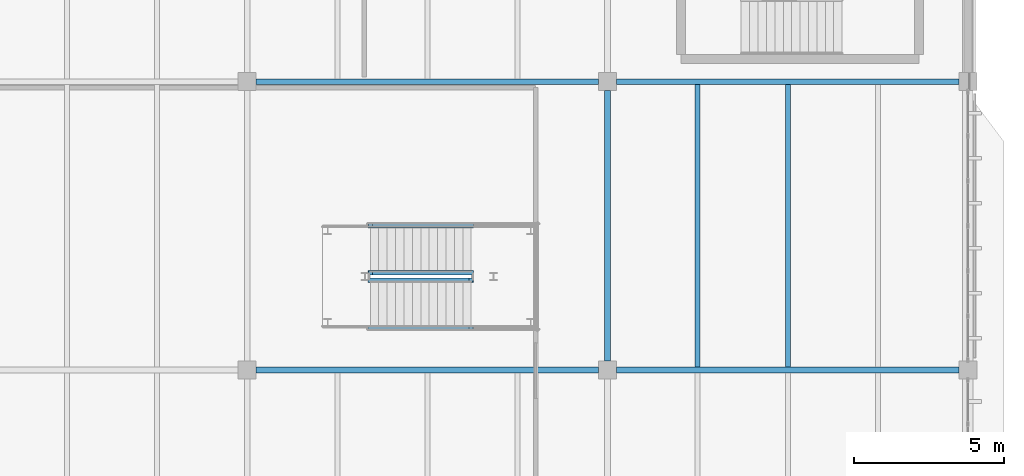
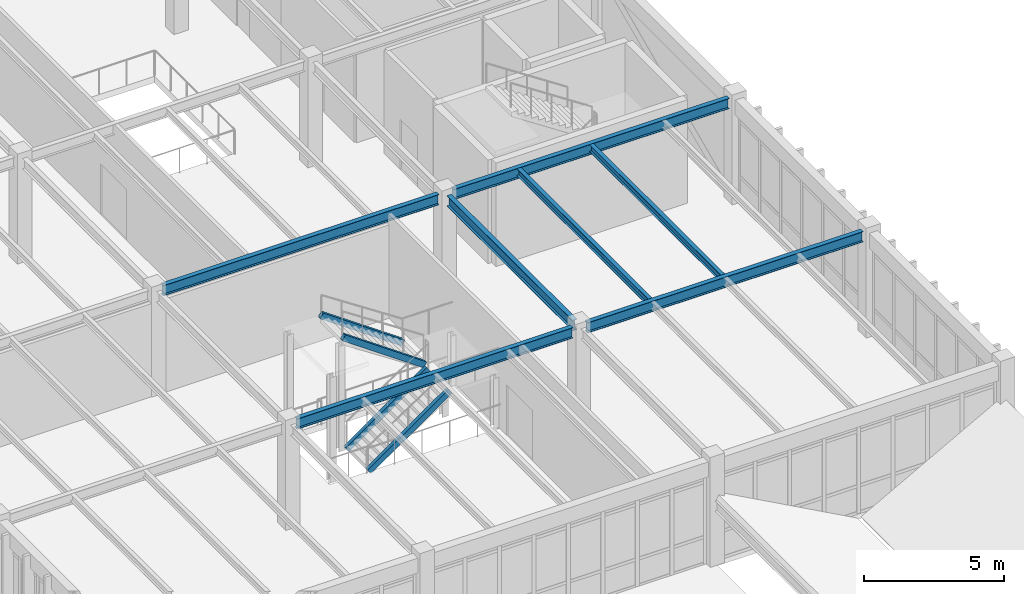
# One storey, part 125 of 236: 7 beams, 4 members.
"""IFC4 building model written with IfcOpenShell, lengths in metres."""

from ifc_helpers import new_model, si_unit, direction, frame, origin, origin_2d, place, context, subcontext, project, spatial, hollow_rectangle, i_section, extrude, material, material_profile, profile_set, type_object, element, save


model = new_model("IFC4")

# Units and contexts
model_context = context("Model", 3, precision=1e-05, world=origin(), true_north=direction((0.0, 1.0)))
body_context = subcontext(model_context, "Body", "Model", "MODEL_VIEW")
ifc_project = project(units=[si_unit("LENGTHUNIT", "METRE"), si_unit("AREAUNIT", "SQUARE_METRE"), si_unit("VOLUMEUNIT", "CUBIC_METRE"), si_unit("PLANEANGLEUNIT", "RADIAN"), si_unit("MASSUNIT", "GRAM", prefix="KILO")], contexts=[model_context])

# Site, building, storey
site_placement = place(None, origin())
site = spatial("IfcSite", under=ifc_project, at=site_placement, CompositionType="ELEMENT")
building_placement = place(site_placement, origin())
building = spatial("IfcBuilding", under=site, at=building_placement, Name="Pandanus Reach Market Hall", CompositionType="ELEMENT")
storey_placement = place(building_placement, frame((0.0, 0.0, 5.39990234375)))
storey = spatial("IfcBuildingStorey", under=building, at=storey_placement, Name="L01", CompositionType="ELEMENT", Elevation=5.39990234375)

# Beams
ifc_material = material(Name="Steel Grade 350 (350 MPa)", Category="steel")
ifc_material_profile_1 = material_profile(ifc_material, i_section(OverallWidth=0.18994140625, OverallDepth=0.45703125, WebThickness=0.009033203125, FlangeThickness=0.014404296875, at=origin_2d()), Name="460UB74.6", Category="LoadBearing")
ifc_profile_set_1 = profile_set([ifc_material_profile_1], Name="Steel Grade 350 (350 MPa)")
beam_type_1 = type_object("IfcBeamType", Name="BM-UB460-I", PredefinedType="BEAM", material=ifc_profile_set_1)
for number, where, z_axis, x_axis, name in (
    (1, (156.298095703125, 19.199951171875, 4.311279296875), (1.0, 0.0, 0.0), (0.0, 1.0, 0.0), "Framing beam BM-UB460-I L01.310"),
    (2, (168.298095703125, 19.199951171875, 4.311279296875), (1.0, 0.0, 0.0), (0.0, 1.0, 0.0), "Framing beam BM-UB460-I L01.311"),
    (3, (156.298095703125, 28.800048828125, 4.311279296875), (1.0, 0.0, 0.0), (0.0, 1.0, 0.0), "Framing beam BM-UB460-I L01.313"),
    (4, (168.298095703125, 28.800048828125, 4.311279296875), (1.0, 0.0, 0.0), (0.0, 1.0, 0.0), "Framing beam BM-UB460-I L01.314"),
):
    element("IfcBeam", number, at=place(storey_placement, frame(where, z_axis=z_axis, x_axis=x_axis)), inside=storey, type_object=beam_type_1, Name=name, PredefinedType="BEAM", context=body_context, shape_type="SweptSolid", body=[
        extrude(i_section(OverallWidth=0.18994140625, OverallDepth=0.45703125, WebThickness=0.009033203125, FlangeThickness=0.014404296875, at=origin_2d()), origin(), (0.0, 0.0, 1.0), 11.40380859375),
    ])
beam_placement = place(storey_placement, frame((168.0, 19.498046875, 4.311279296875), z_axis=(0.0, 1.0, 0.0), x_axis=(-1.0, 0.0, 0.0)))
element("IfcBeam", 5, at=beam_placement, inside=storey, type_object=beam_type_1, Name="Framing beam BM-UB460-I L01.355", PredefinedType="BEAM", context=body_context, shape_type="SweptSolid", body=[
    extrude(i_section(OverallWidth=0.18994140625, OverallDepth=0.45703125, WebThickness=0.009033203125, FlangeThickness=0.014404296875, at=origin_2d()), origin(), (0.0, 0.0, 1.0), 9.00390625),
])
ifc_material_profile_2 = material_profile(ifc_material, i_section(OverallWidth=0.166015625, OverallDepth=0.306884765625, WebThickness=0.006591796875, FlangeThickness=0.01171875, at=origin_2d()), Name="310UB46.2", Category="LoadBearing")
ifc_profile_set_2 = profile_set([ifc_material_profile_2], Name="Steel Grade 350 (350 MPa)")
beam_type_2 = type_object("IfcBeamType", Name="JS-UB310H-I", PredefinedType="JOIST", material=ifc_profile_set_2)
for number, where, z_axis, x_axis, name in (
    (6, (171.0, 19.29296875, 4.38623046875), (0.0, 1.0, 0.0), (-1.0, 0.0, 0.0), "Secondary joist JS-UB310H-I L01.419"),
    (7, (174.0, 19.29296875, 4.38623046875), (0.0, 1.0, 0.0), (-1.0, 0.0, 0.0), "Secondary joist JS-UB310H-I L01.420"),
):
    element("IfcBeam", number, at=place(storey_placement, frame(where, z_axis=z_axis, x_axis=x_axis)), inside=storey, type_object=beam_type_2, Name=name, PredefinedType="JOIST", context=body_context, shape_type="SweptSolid", body=[
        extrude(i_section(OverallWidth=0.166015625, OverallDepth=0.306884765625, WebThickness=0.006591796875, FlangeThickness=0.01171875, at=origin_2d()), origin(), (0.0, 0.0, 1.0), 9.4140625),
    ])

# Members
ifc_material_profile_3 = material_profile(ifc_material, hollow_rectangle(XDim=0.14990234375, YDim=0.25, WallThickness=0.009033203125, at=origin_2d()), Name="250x150x9.0RHS", Category="LoadBearing")
ifc_profile_set_3 = profile_set([ifc_material_profile_3], Name="Steel Grade 350 (350 MPa)")
member_type = type_object("IfcMemberType", Name="SG-RHS250-I", PredefinedType="STRINGER", material=ifc_profile_set_3)
for number, where, z_axis, x_axis, name in (
    (8, (160.10009765625, 20.610107421875, 0.02001953125), (0.818292228903, 0.0, 0.574802425288), (0.0, 1.0, 0.0), "Stair stringer ST-11 L01 F1L"),
    (9, (160.10009765625, 22.18994140625, 0.02001953125), (0.818292228903, 0.0, 0.574802425288), (0.0, 1.0, 0.0), "Stair stringer ST-11 L01 F1R"),
):
    element("IfcMember", number, at=place(storey_placement, frame(where, z_axis=z_axis, x_axis=x_axis)), inside=storey, type_object=member_type, Name=name, PredefinedType="STRINGER", context=body_context, shape_type="SweptSolid", body=[
        extrude(hollow_rectangle(XDim=0.14990234375, YDim=0.25, WallThickness=0.009033203125, at=origin_2d()), origin(), (0.0, 0.0, 1.0), 4.10595703125),
    ])
for number, where, z_axis, x_axis, name in (
    (10, (163.4599609375, 24.010009765625, 2.420166015625), (-0.818320196406, 0.0, 0.574762608521), (0.0, -1.0, 0.0), "Stair stringer ST-11 L01 F2L"),
    (11, (163.4599609375, 22.429931640625, 2.420166015625), (-0.818320196406, 0.0, 0.574762608521), (0.0, -1.0, 0.0), "Stair stringer ST-11 L01 F2R"),
):
    element("IfcMember", number, at=place(storey_placement, frame(where, z_axis=z_axis, x_axis=x_axis)), inside=storey, type_object=member_type, Name=name, PredefinedType="STRINGER", context=body_context, shape_type="SweptSolid", body=[
        extrude(hollow_rectangle(XDim=0.14990234375, YDim=0.25, WallThickness=0.009033203125, at=origin_2d()), origin(), (0.0, 0.0, 1.0), 4.105712890625),
    ])

save(model, "model.ifc")
